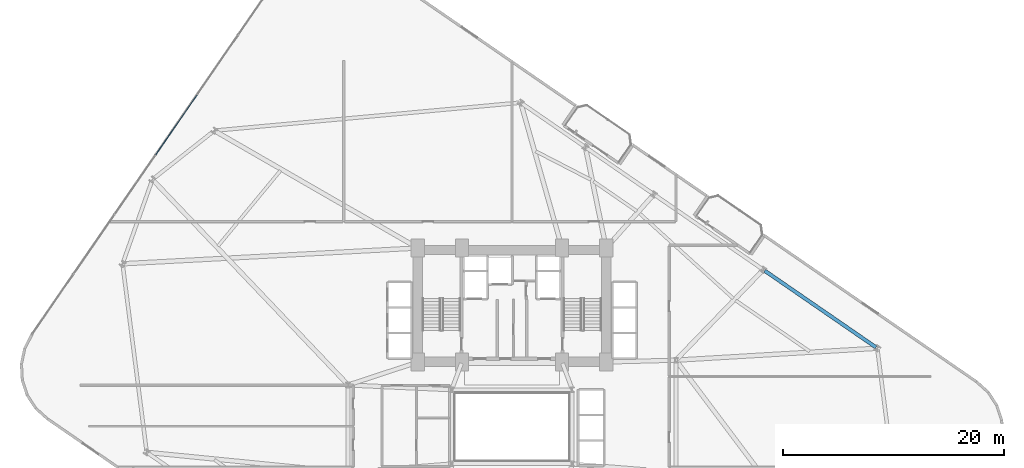
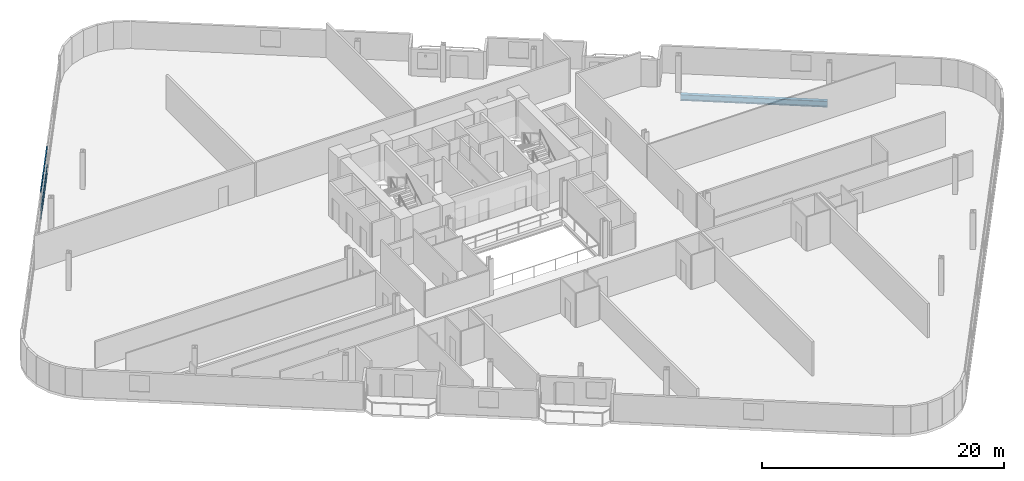
# One storey, part 12 of 24: 3 members, 1 beam, 1 element without a shape of its own.
"""IFC4 building model written with IfcOpenShell, lengths in metres."""

from ifc_helpers import new_model, si_unit, direction, frame, origin, origin_2d, place, context, subcontext, project, spatial, hollow_rectangle, i_section, extrude, material, layer, layer_set, material_profile, profile_set, type_object, element, aggregate, save


model = new_model("IFC4")

# Units and contexts
model_context = context("Model", 3, precision=1e-05, world=origin(), true_north=direction((0.0, 1.0)))
body_context = subcontext(model_context, "Body", "Model", "MODEL_VIEW")
ifc_project = project(units=[si_unit("LENGTHUNIT", "METRE"), si_unit("AREAUNIT", "SQUARE_METRE"), si_unit("VOLUMEUNIT", "CUBIC_METRE"), si_unit("PLANEANGLEUNIT", "RADIAN"), si_unit("MASSUNIT", "GRAM", prefix="KILO")], contexts=[model_context])

# Site, building, storey
site_placement = place(None, origin())
site = spatial("IfcSite", under=ifc_project, at=site_placement, CompositionType="ELEMENT")
building_placement = place(site_placement, origin())
building = spatial("IfcBuilding", under=site, at=building_placement, Name="Varnelok Gate Tower", CompositionType="ELEMENT")
storey_placement = place(building_placement, frame((0.0, 0.0, 38.10009765625)))
storey = spatial("IfcBuildingStorey", under=building, at=storey_placement, Name="L08", CompositionType="ELEMENT", Elevation=38.10009765625)

# Beam
ifc_material_1 = material(Name="Structural Steel ASTM A992 Grade 50", Category="steel")
ifc_material_profile_1 = material_profile(ifc_material_1, i_section(OverallWidth=0.323974609375, OverallDepth=0.611083984375, WebThickness=0.0126953125, FlangeThickness=0.01904296875, FilletRadius=0.01806640625, at=origin_2d()), Name="W24X104")
ifc_profile_set_1 = profile_set([ifc_material_profile_1], Name="Structural Steel ASTM A992 Grade 50")
beam_type = type_object("IfcBeamType", Name="BM-SPN-W24X104", PredefinedType="SPANDREL", material=ifc_profile_set_1)
beam_placement = place(storey_placement, frame((72.06201171875, 30.08251953125, -0.5556640625), z_axis=(-0.823543541425, 0.567253061144, 0.0), x_axis=(-0.567253061144, -0.823543541425, 0.0)))
element("IfcBeam", 1, at=beam_placement, inside=storey, type_object=beam_type, Name="L08 Perimeter Spandrel Beam 9", PredefinedType="SPANDREL", context=body_context, shape_type="SweptSolid", body=[
    extrude(i_section(OverallWidth=0.323974609375, OverallDepth=0.611083984375, WebThickness=0.0126953125, FlangeThickness=0.01904296875, FilletRadius=0.01806640625, at=origin_2d()), origin(), (0.0, 0.0, 1.0), 12.199951171875),
])

# Curtain wall, members
ifc_material_2 = material(Name="Anodized Aluminum Alloy 6063-T6", Category="aluminium")
ifc_layer = layer(ifc_material_2, 0.179931640625)
ifc_layer_set = layer_set([ifc_layer], Name="Anodized Aluminum Alloy 6063-T6")
curtain_wall_type = type_object("IfcCurtainWallType", Name="CW3-HOTEL-VISION", PredefinedType="USERDEFINED", material=ifc_layer_set)
curtain_wall_placement = place(storey_placement, origin())
curtain_wall = element("IfcCurtainWall", 2, at=curtain_wall_placement, inside=storey, type_object=curtain_wall_type, Name="L08 West End Vision Curtain Wall", ObjectType="UNITISED CURTAIN WALL", PredefinedType="USERDEFINED")
ifc_material_profile_2 = material_profile(ifc_material_2, hollow_rectangle(XDim=0.06494140625, YDim=0.159912109375, WallThickness=0.00390625, at=origin_2d()), Name="ALU160X65X4")
ifc_profile_set_2 = profile_set([ifc_material_profile_2], Name="Anodized Aluminum Alloy 6063-T6")
member_type = type_object("IfcMemberType", Name="CW-TRAN-160", PredefinedType="USERDEFINED", material=ifc_profile_set_2)
member_1_placement = place(storey_placement, frame((7.05126953125, 47.484375, 0.032470703125), z_axis=(0.567279204469, 0.823525533409, 0.0), x_axis=(-0.823525533409, 0.567279204469, 0.0)))
member_1 = element("IfcMember", 3, at=member_1_placement, type_object=member_type, Name="CW3 transom 4.1", ObjectType="TRANSOM", PredefinedType="USERDEFINED", context=body_context, shape_type="SweptSolid", body=[
    extrude(hollow_rectangle(XDim=0.06494140625, YDim=0.159912109375, WallThickness=0.00390625, at=origin_2d()), origin(), (0.0, 0.0, 1.0), 6.501708984375),
])
member_2_placement = place(storey_placement, frame((7.05126953125, 47.484375, 0.89990234375), z_axis=(0.567279204469, 0.823525533409, 0.0), x_axis=(-0.823525533409, 0.567279204469, 0.0)))
member_2 = element("IfcMember", 4, at=member_2_placement, type_object=member_type, Name="CW3 transom 4.2", ObjectType="TRANSOM", PredefinedType="USERDEFINED", context=body_context, shape_type="SweptSolid", body=[
    extrude(hollow_rectangle(XDim=0.06494140625, YDim=0.159912109375, WallThickness=0.00390625, at=origin_2d()), origin(), (0.0, 0.0, 1.0), 6.501708984375),
])
member_3_placement = place(storey_placement, frame((7.05126953125, 47.484375, 2.697509765625), z_axis=(0.567279204469, 0.823525533409, 0.0), x_axis=(-0.823525533409, 0.567279204469, 0.0)))
member_3 = element("IfcMember", 5, at=member_3_placement, type_object=member_type, Name="CW3 transom 4.3", ObjectType="TRANSOM", PredefinedType="USERDEFINED", context=body_context, shape_type="SweptSolid", body=[
    extrude(hollow_rectangle(XDim=0.06494140625, YDim=0.159912109375, WallThickness=0.00390625, at=origin_2d()), origin(), (0.0, 0.0, 1.0), 6.501708984375),
])
aggregate(curtain_wall, [member_1, member_2, member_3])

save(model, "model.ifc")
